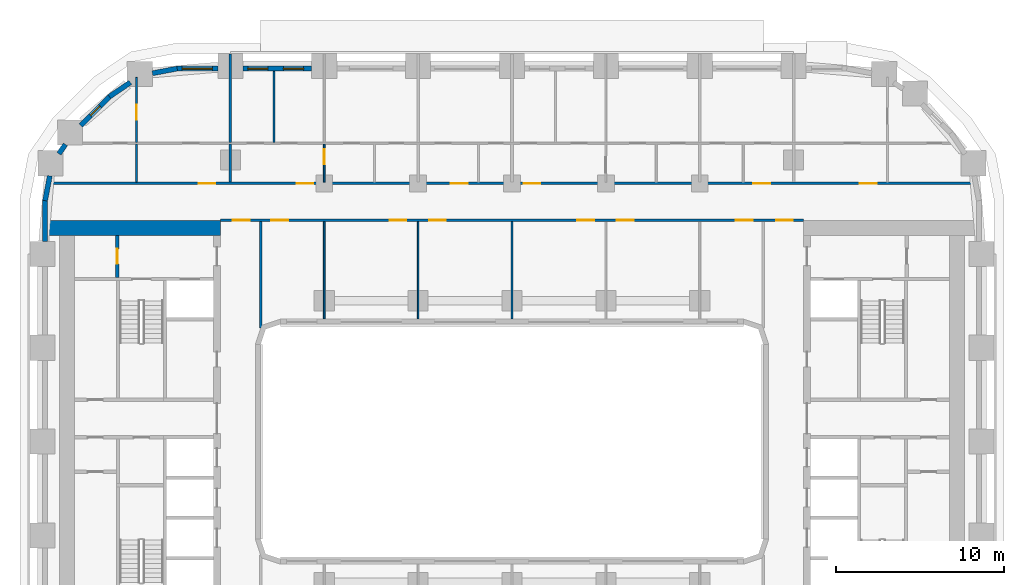
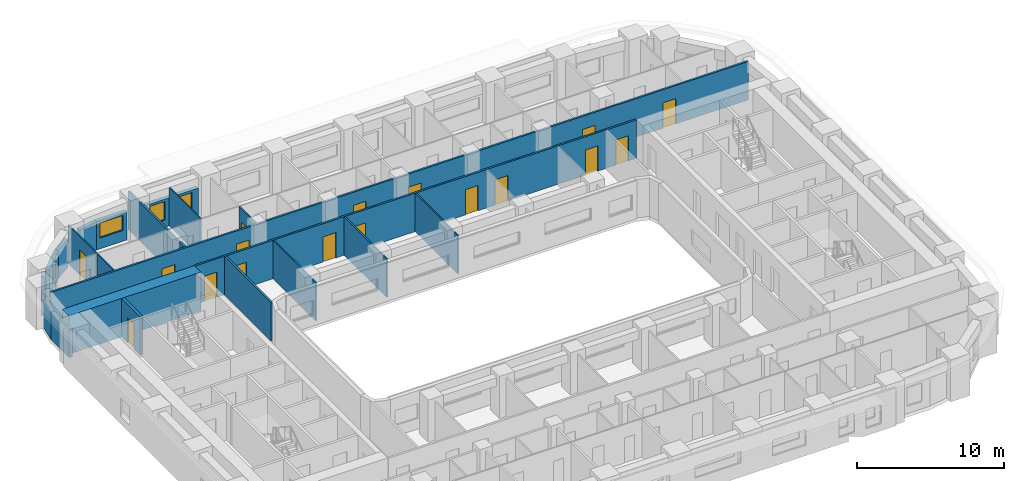
# One storey, part 7 of 20: 22 walls, 17 doors, 4 windows, 21 openings.
"""IFC4 building model written with IfcOpenShell, lengths in metres."""

from ifc_helpers import new_model, si_unit, direction, frame, frame_2d, origin, place, context, subcontext, project, spatial, rectangle, extrude, material, layer, layer_set, type_object, element, fill, save


model = new_model("IFC4")

# Units and contexts
model_context = context("Model", 3, precision=1e-05, world=origin(), true_north=direction((0.0, 1.0)))
body_context = subcontext(model_context, "Body", "Model", "MODEL_VIEW")
ifc_project = project(units=[si_unit("LENGTHUNIT", "METRE"), si_unit("AREAUNIT", "SQUARE_METRE"), si_unit("VOLUMEUNIT", "CUBIC_METRE"), si_unit("PLANEANGLEUNIT", "RADIAN"), si_unit("MASSUNIT", "GRAM", prefix="KILO")], contexts=[model_context])

# Site, building, storey
site_placement = place(None, origin())
site = spatial("IfcSite", under=ifc_project, at=site_placement, CompositionType="ELEMENT")
building_placement = place(site_placement, origin())
building = spatial("IfcBuilding", under=site, at=building_placement, Name="Kiln Ring Residences", CompositionType="ELEMENT")
storey_placement = place(building_placement, frame((0.0, 0.0, 37.5)))
storey = spatial("IfcBuildingStorey", under=building, at=storey_placement, Name="L08", CompositionType="ELEMENT", Elevation=37.5)

# Wall, opening, door
ifc_material_1 = material(Name="Gypsum board on steel studs", Category="steel")
ifc_layer_1 = layer(ifc_material_1, 0.199951171875)
ifc_layer_set_1 = layer_set([ifc_layer_1], Name="CORE-PARTITION-200")
wall_type_1 = type_object("IfcWallType", Name="CORE-PARTITION-200", PredefinedType="PARTITIONING", material=ifc_layer_set_1)
wall_1_placement = place(storey_placement, frame((-23.550048828125, 9.800048828125, 0.0), z_axis=(0.0, 0.0, 1.0), x_axis=(0.0, 1.0, 0.0)))
wall_1 = element("IfcWall", 1, at=wall_1_placement, inside=storey, type_object=wall_type_1, Name="Core partition west L08 3", PredefinedType="PARTITIONING", context=body_context, shape_type="SweptSolid", body=[
    extrude(rectangle(XDim=2.5, YDim=0.199951171875, at=frame_2d((1.25, 0.0))), origin(), (0.0, 0.0, 1.0), 3.199951171875),
])
opening_1_placement = place(wall_1_placement, frame((0.800048828125, 0.0, 0.0)))
opening_1 = element("IfcOpeningElement", 2, at=opening_1_placement, cuts=wall_1, Name="Opening L08-CW09", PredefinedType="OPENING", context=body_context, shape_type="SweptSolid", body=[
    extrude(rectangle(XDim=0.89990234375, YDim=2.10009765625, at=frame_2d((0.449951171875, 1.050048828125))), frame((0.0, 0.10986328125, 0.0), z_axis=(0.0, -1.0, 0.0), x_axis=(1.0, 0.0, 0.0)), (0.0, 0.0, 1.0), 0.219970703125),
])
ifc_material_2 = material(Name="Steel door leaf", Category="steel")
door_type_1 = type_object("IfcDoorType", Name="CORE-DOOR-ROOM", OperationType="SINGLE_SWING_LEFT", PredefinedType="DOOR", material=ifc_material_2)
door_1_placement = place(opening_1_placement, origin())
door_1 = element("IfcDoor", 3, at=door_1_placement, inside=storey, type_object=door_type_1, Name="Fire riser room L08-CW09", OperationType="SINGLE_SWING_LEFT", OverallHeight=2.10009765625, OverallWidth=0.89990234375, PredefinedType="DOOR", context=body_context, shape_type="SweptSolid", body=[
    extrude(rectangle(XDim=0.89990234375, YDim=2.10009765625, at=frame_2d((0.449951171875, 1.050048828125))), frame((0.0, 0.02490234375, 0.0), z_axis=(0.0, -1.0, 0.0), x_axis=(1.0, 0.0, 0.0)), (0.0, 0.0, 1.0), 0.050048828125),
])
fill(opening_1, door_1)

# Wall
ifc_material_3 = material(Name="Concrete C60/75", Category="concrete")
ifc_layer_2 = layer(ifc_material_3, 0.89990234375)
ifc_layer_set_2 = layer_set([ifc_layer_2], Name="CORE-WALL-RC900")
wall_type_2 = type_object("IfcWallType", Name="CORE-WALL-RC900", PredefinedType="SHEAR", material=ifc_layer_set_2)
wall_2_placement = place(storey_placement, frame((-17.39990234375, 12.75, 0.0), z_axis=(0.0, 0.0, 1.0), x_axis=(-1.0, 0.0, 0.0)))
element("IfcWall", 4, at=wall_2_placement, inside=storey, type_object=wall_type_2, Name="Core wall west L08 4", PredefinedType="SHEAR", context=body_context, shape_type="SweptSolid", body=[
    extrude(rectangle(XDim=10.400146484375, YDim=0.89990234375, at=frame_2d((5.2001953125, 0.0))), origin(), (0.0, 0.0, 1.0), 3.199951171875),
])

# Wall, openings, windows
ifc_material_4 = material(Name="Brick masonry, dark clay brick", Category="masonry")
ifc_layer_3 = layer(ifc_material_4, 0.300048828125)
ifc_layer_set_3 = layer_set([ifc_layer_3], Name="EW-300 BRICK WALL")
wall_type_3 = type_object("IfcWallType", Name="EW-300 BRICK WALL", PredefinedType="SOLIDWALL", material=ifc_layer_set_3)
wall_3_placement = place(storey_placement, frame((-11.949951171875, 22.25, 0.0), z_axis=(0.0, 0.0, 1.0), x_axis=(-1.0, 0.0, 0.0)))
wall_3 = element("IfcWall", 5, at=wall_3_placement, inside=storey, type_object=wall_type_3, Name="Facade wall L08 34", PredefinedType="SOLIDWALL", context=body_context, shape_type="SweptSolid", body=[
    extrude(rectangle(XDim=4.10009765625, YDim=0.300048828125, at=frame_2d((2.050048828125, 0.0))), origin(), (0.0, 0.0, 1.0), 2.35009765625),
])
opening_2_placement = place(wall_3_placement, frame((0.487548828125, 0.0, 0.60009765625)))
opening_2 = element("IfcOpeningElement", 6, at=opening_2_placement, cuts=wall_3, Name="Opening W1", PredefinedType="OPENING", context=body_context, shape_type="SweptSolid", body=[
    extrude(rectangle(XDim=1.199951171875, YDim=1.550048828125, at=frame_2d((0.60009765625, 0.77490234375))), frame((0.0, 0.159912109375, 0.0), z_axis=(0.0, -1.0, 0.0), x_axis=(1.0, 0.0, 0.0)), (0.0, 0.0, 1.0), 0.320068359375),
])
opening_3_placement = place(wall_3_placement, frame((2.612548828125, 0.0, 0.60009765625)))
opening_3 = element("IfcOpeningElement", 7, at=opening_3_placement, cuts=wall_3, Name="Opening W1", PredefinedType="OPENING", context=body_context, shape_type="SweptSolid", body=[
    extrude(rectangle(XDim=1.199951171875, YDim=1.550048828125, at=frame_2d((0.60009765625, 0.77490234375))), frame((0.0, 0.159912109375, 0.0), z_axis=(0.0, -1.0, 0.0), x_axis=(1.0, 0.0, 0.0)), (0.0, 0.0, 1.0), 0.320068359375),
])
ifc_material_5 = material(Name="Aluminium frame with double glazing", Category="aluminium")
window_type_1 = type_object("IfcWindowType", Name="WINDOW 1200 x 1550", PartitioningType="SINGLE_PANEL", PredefinedType="WINDOW", material=ifc_material_5)
window_1_placement = place(opening_2_placement, origin())
window_1 = element("IfcWindow", 8, at=window_1_placement, inside=storey, type_object=window_type_1, Name="Window L08 20", OverallHeight=1.550048828125, OverallWidth=1.199951171875, PartitioningType="SINGLE_PANEL", PredefinedType="WINDOW", context=body_context, shape_type="SweptSolid", body=[
    extrude(rectangle(XDim=1.199951171875, YDim=1.550048828125, at=frame_2d((0.60009765625, 0.77490234375))), frame((0.0, 0.030029296875, 0.0), z_axis=(0.0, -1.0, 0.0), x_axis=(1.0, 0.0, 0.0)), (0.0, 0.0, 1.0), 0.06005859375),
])
fill(opening_2, window_1)
window_2_placement = place(opening_3_placement, origin())
window_2 = element("IfcWindow", 9, at=window_2_placement, inside=storey, type_object=window_type_1, Name="Window L08 21", OverallHeight=1.550048828125, OverallWidth=1.199951171875, PartitioningType="SINGLE_PANEL", PredefinedType="WINDOW", context=body_context, shape_type="SweptSolid", body=[
    extrude(rectangle(XDim=1.199951171875, YDim=1.550048828125, at=frame_2d((0.60009765625, 0.77490234375))), frame((0.0, 0.030029296875, 0.0), z_axis=(0.0, -1.0, 0.0), x_axis=(1.0, 0.0, 0.0)), (0.0, 0.0, 1.0), 0.06005859375),
])
fill(opening_3, window_2)

# Wall, opening, window
wall_4_placement = place(storey_placement, frame((-17.550048828125, 22.25, 0.0), z_axis=(0.0, 0.0, 1.0), x_axis=(-1.0, 0.0, 0.0)))
wall_4 = element("IfcWall", 10, at=wall_4_placement, inside=storey, type_object=wall_type_3, Name="Facade wall L08 35", PredefinedType="SOLIDWALL", context=body_context, shape_type="SweptSolid", body=[
    extrude(rectangle(XDim=2.449951171875, YDim=0.300048828125, at=frame_2d((1.22509765625, 0.0))), origin(), (0.0, 0.0, 1.0), 2.35009765625),
])
opening_4_placement = place(wall_4_placement, frame((0.324951171875, 0.0, 0.89990234375)))
opening_4 = element("IfcOpeningElement", 11, at=opening_4_placement, cuts=wall_4, Name="Opening W2", PredefinedType="OPENING", context=body_context, shape_type="SweptSolid", body=[
    extrude(rectangle(XDim=1.800048828125, YDim=1.25, at=frame_2d((0.89990234375, 0.625))), frame((0.0, 0.159912109375, 0.0), z_axis=(0.0, -1.0, 0.0), x_axis=(1.0, 0.0, 0.0)), (0.0, 0.0, 1.0), 0.320068359375),
])
ifc_material_6 = material(Name="Aluminium frame with double glazing", Category="aluminium")
window_type_2 = type_object("IfcWindowType", Name="WINDOW 1800 x 1250", PartitioningType="SINGLE_PANEL", PredefinedType="WINDOW", material=ifc_material_6)
window_3_placement = place(opening_4_placement, origin())
window_3 = element("IfcWindow", 12, at=window_3_placement, inside=storey, type_object=window_type_2, Name="Window L08 22", OverallHeight=1.25, OverallWidth=1.800048828125, PartitioningType="SINGLE_PANEL", PredefinedType="WINDOW", context=body_context, shape_type="SweptSolid", body=[
    extrude(rectangle(XDim=1.800048828125, YDim=1.25, at=frame_2d((0.89990234375, 0.625))), frame((0.0, 0.030029296875, 0.0), z_axis=(0.0, -1.0, 0.0), x_axis=(1.0, 0.0, 0.0)), (0.0, 0.0, 1.0), 0.06005859375),
])
fill(opening_4, window_3)

# Walls
for number, where, z_axis, x_axis, name in (
    (13, (-19.971923828125, 22.252685546875, 0.0), (0.0, 0.0, 1.0), (-0.982287454367, -0.187380247071, 0.0), "Facade wall L08 36"),
    (14, (-22.76708984375, 21.425537109375, 0.0), (0.0, 0.0, 1.0), (-0.827028997312, -0.562159263559, 0.0), "Facade wall L08 37"),
):
    element("IfcWall", number, at=place(storey_placement, frame(where, z_axis=z_axis, x_axis=x_axis)), inside=storey, type_object=wall_type_3, Name=name, PredefinedType="SOLIDWALL", context=body_context, shape_type="SweptSolid", body=[
        extrude(rectangle(XDim=1.506103515625, YDim=0.300048828125, at=frame_2d((0.7529296875, 0.0))), origin(), (0.0, 0.0, 1.0), 2.35009765625),
    ])

# Wall, opening, window
wall_5_placement = place(storey_placement, frame((-23.990966796875, 20.596923828125, 0.0), z_axis=(0.0, 0.0, 1.0), x_axis=(-0.707106781187, -0.707106781187, 0.0)))
wall_5 = element("IfcWall", 15, at=wall_5_placement, inside=storey, type_object=wall_type_3, Name="Facade wall L08 38", PredefinedType="SOLIDWALL", context=body_context, shape_type="SweptSolid", body=[
    extrude(rectangle(XDim=2.449951171875, YDim=0.300048828125, at=frame_2d((1.22509765625, 0.0))), origin(), (0.0, 0.0, 1.0), 2.35009765625),
])
opening_5_placement = place(wall_5_placement, frame((0.824951171875, 0.0, 0.60009765625)))
opening_5 = element("IfcOpeningElement", 16, at=opening_5_placement, cuts=wall_5, Name="Opening W5", PredefinedType="OPENING", context=body_context, shape_type="SweptSolid", body=[
    extrude(rectangle(XDim=0.800048828125, YDim=1.550048828125, at=frame_2d((0.39990234375, 0.77490234375))), frame((0.0, 0.159912109375, 0.0), z_axis=(0.0, -1.0, 0.0), x_axis=(1.0, 0.0, 0.0)), (0.0, 0.0, 1.0), 0.320068359375),
])
ifc_material_7 = material(Name="Aluminium frame with double glazing", Category="aluminium")
window_type_3 = type_object("IfcWindowType", Name="WINDOW 800 x 1550", PartitioningType="SINGLE_PANEL", PredefinedType="WINDOW", material=ifc_material_7)
window_4_placement = place(opening_5_placement, origin())
window_4 = element("IfcWindow", 17, at=window_4_placement, inside=storey, type_object=window_type_3, Name="Window L08 23", OverallHeight=1.550048828125, OverallWidth=0.800048828125, PartitioningType="SINGLE_PANEL", PredefinedType="WINDOW", context=body_context, shape_type="SweptSolid", body=[
    extrude(rectangle(XDim=0.800048828125, YDim=1.550048828125, at=frame_2d((0.39990234375, 0.77490234375))), frame((0.0, 0.030029296875, 0.0), z_axis=(0.0, -1.0, 0.0), x_axis=(1.0, 0.0, 0.0)), (0.0, 0.0, 1.0), 0.06005859375),
])
fill(opening_5, window_4)

# Walls
wall_6_placement = place(storey_placement, frame((-26.644775390625, 17.72705078125, 0.0), z_axis=(0.0, 0.0, 1.0), x_axis=(-0.562083182981, -0.827080706709, 0.0)))
element("IfcWall", 18, at=wall_6_placement, inside=storey, type_object=wall_type_3, Name="Facade wall L08 39", PredefinedType="SOLIDWALL", context=body_context, shape_type="SweptSolid", body=[
    extrude(rectangle(XDim=0.67724609375, YDim=0.300048828125, at=frame_2d((0.338623046875, 0.0))), origin(), (0.0, 0.0, 1.0), 3.199951171875),
])
wall_7_placement = place(storey_placement, frame((-27.570556640625, 15.851318359375, 0.0), z_axis=(0.0, 0.0, 1.0), x_axis=(-0.187223837635, -0.982317277982, 0.0)))
element("IfcWall", 19, at=wall_7_placement, inside=storey, type_object=wall_type_3, Name="Facade wall L08 40", PredefinedType="SOLIDWALL", context=body_context, shape_type="SweptSolid", body=[
    extrude(rectangle(XDim=1.506103515625, YDim=0.300048828125, at=frame_2d((0.7529296875, 0.0))), origin(), (0.0, 0.0, 1.0), 2.35009765625),
])
wall_8_placement = place(storey_placement, frame((-27.85009765625, 14.39990234375, 0.0), z_axis=(0.0, 0.0, 1.0), x_axis=(0.0, -1.0, 0.0)))
element("IfcWall", 20, at=wall_8_placement, inside=storey, type_object=wall_type_3, Name="Facade wall L08 41", PredefinedType="SOLIDWALL", context=body_context, shape_type="SweptSolid", body=[
    extrude(rectangle(XDim=2.449951171875, YDim=0.300048828125, at=frame_2d((1.22509765625, 0.0))), origin(), (0.0, 0.0, 1.0), 2.35009765625),
])
ifc_material_8 = material(Name="Gypsum board on steel studs", Category="steel")
ifc_layer_4 = layer(ifc_material_8, 0.10009765625)
ifc_layer_set_4 = layer_set([ifc_layer_4], Name="PARTITION-100")
wall_type_4 = type_object("IfcWallType", Name="PARTITION-100", PredefinedType="PARTITIONING", material=ifc_layer_set_4)
wall_9_placement = place(storey_placement, frame((-22.39990234375, 15.47509765625, 0.0), z_axis=(0.0, 0.0, 1.0), x_axis=(0.0, 1.0, 0.0)))
element("IfcWall", 21, at=wall_9_placement, inside=storey, type_object=wall_type_4, Name="Partition 008", PredefinedType="PARTITIONING", context=body_context, shape_type="SweptSolid", body=[
    extrude(rectangle(XDim=2.27490234375, YDim=0.10009765625, at=frame_2d((1.137451171875, 0.0))), origin(), (0.0, 0.0, 1.0), 3.199951171875),
])

# Wall, opening, door
wall_10_placement = place(storey_placement, frame((-22.39990234375, 17.85009765625, 0.0), z_axis=(0.0, 0.0, 1.0), x_axis=(0.0, 1.0, 0.0)))
wall_10 = element("IfcWall", 22, at=wall_10_placement, inside=storey, type_object=wall_type_4, Name="Partition 009", PredefinedType="PARTITIONING", context=body_context, shape_type="SweptSolid", body=[
    extrude(rectangle(XDim=3.869873046875, YDim=0.10009765625, at=frame_2d((1.93505859375, 0.0))), origin(), (0.0, 0.0, 1.0), 3.199951171875),
])
opening_6_placement = place(wall_10_placement, frame((1.347900390625, 0.0, 0.0)))
opening_6 = element("IfcOpeningElement", 23, at=opening_6_placement, cuts=wall_10, Name="Opening L08-D014", PredefinedType="OPENING", context=body_context, shape_type="SweptSolid", body=[
    extrude(rectangle(XDim=0.89990234375, YDim=2.10009765625, at=frame_2d((0.449951171875, 1.050048828125))), frame((0.0, 0.06005859375, 0.0), z_axis=(0.0, -1.0, 0.0), x_axis=(1.0, 0.0, 0.0)), (0.0, 0.0, 1.0), 0.1201171875),
])
ifc_material_9 = material(Name="Timber door leaf", Category="wood")
door_type_2 = type_object("IfcDoorType", Name="FLAT-DOOR-900-PL", OperationType="SINGLE_SWING_LEFT", PredefinedType="DOOR", material=ifc_material_9)
door_2_placement = place(opening_6_placement, origin())
door_2 = element("IfcDoor", 24, at=door_2_placement, inside=storey, type_object=door_type_2, Name="Door L08-D014", OperationType="SINGLE_SWING_RIGHT", OverallHeight=2.10009765625, OverallWidth=0.89990234375, PredefinedType="DOOR", context=body_context, shape_type="SweptSolid", body=[
    extrude(rectangle(XDim=0.89990234375, YDim=2.10009765625, at=frame_2d((0.449951171875, 1.050048828125))), frame((0.0, 0.02490234375, 0.0), z_axis=(0.0, -1.0, 0.0), x_axis=(1.0, 0.0, 0.0)), (0.0, 0.0, 1.0), 0.050048828125),
])
fill(opening_6, door_2)

# Walls
wall_11_placement = place(storey_placement, frame((-14.199951171875, 17.85009765625, 0.0), z_axis=(0.0, 0.0, 1.0), x_axis=(0.0, 1.0, 0.0)))
element("IfcWall", 25, at=wall_11_placement, inside=storey, type_object=wall_type_4, Name="Partition 016", PredefinedType="PARTITIONING", context=body_context, shape_type="SweptSolid", body=[
    extrude(rectangle(XDim=4.22998046875, YDim=0.10009765625, at=frame_2d((2.114990234375, 0.0))), origin(), (0.0, 0.0, 1.0), 3.199951171875),
])
wall_12_placement = place(storey_placement, frame((-11.199951171875, 7.320068359375, 0.0), z_axis=(0.0, 0.0, 1.0), x_axis=(0.0, 1.0, 0.0)))
element("IfcWall", 26, at=wall_12_placement, inside=storey, type_object=wall_type_4, Name="Partition 019", PredefinedType="PARTITIONING", context=body_context, shape_type="SweptSolid", body=[
    extrude(rectangle(XDim=5.804931640625, YDim=0.10009765625, at=frame_2d((2.90234375, 0.0))), origin(), (0.0, 0.0, 1.0), 3.199951171875),
])

# Wall, opening, door
wall_13_placement = place(storey_placement, frame((-11.199951171875, 15.47509765625, 0.0), z_axis=(0.0, 0.0, 1.0), x_axis=(0.0, 1.0, 0.0)))
wall_13 = element("IfcWall", 27, at=wall_13_placement, inside=storey, type_object=wall_type_4, Name="Partition 020", PredefinedType="PARTITIONING", context=body_context, shape_type="SweptSolid", body=[
    extrude(rectangle(XDim=2.27490234375, YDim=0.10009765625, at=frame_2d((1.137451171875, 0.0))), origin(), (0.0, 0.0, 1.0), 3.199951171875),
])
opening_7_placement = place(wall_13_placement, frame((1.075927734375, 0.0, 0.0)))
opening_7 = element("IfcOpeningElement", 28, at=opening_7_placement, cuts=wall_13, Name="Opening L08-D016", PredefinedType="OPENING", context=body_context, shape_type="SweptSolid", body=[
    extrude(rectangle(XDim=0.89990234375, YDim=2.10009765625, at=frame_2d((0.449951171875, 1.050048828125))), frame((0.0, 0.06005859375, 0.0), z_axis=(0.0, -1.0, 0.0), x_axis=(1.0, 0.0, 0.0)), (0.0, 0.0, 1.0), 0.1201171875),
])
door_3_placement = place(opening_7_placement, origin())
door_3 = element("IfcDoor", 29, at=door_3_placement, inside=storey, type_object=door_type_2, Name="Door L08-D016", OperationType="SINGLE_SWING_RIGHT", OverallHeight=2.10009765625, OverallWidth=0.89990234375, PredefinedType="DOOR", context=body_context, shape_type="SweptSolid", body=[
    extrude(rectangle(XDim=0.89990234375, YDim=2.10009765625, at=frame_2d((0.449951171875, 1.050048828125))), frame((0.0, 0.02490234375, 0.0), z_axis=(0.0, -1.0, 0.0), x_axis=(1.0, 0.0, 0.0)), (0.0, 0.0, 1.0), 0.050048828125),
])
fill(opening_7, door_3)

# Walls
for number, where, z_axis, x_axis, name in (
    (30, (-5.60009765625, 7.320068359375, 0.0), (0.0, 0.0, 1.0), (0.0, 1.0, 0.0), "Partition 027"),
    (31, (0.0, 7.320068359375, 0.0), (0.0, 0.0, 1.0), (0.0, 1.0, 0.0), "Partition 035"),
):
    element("IfcWall", number, at=place(storey_placement, frame(where, z_axis=z_axis, x_axis=x_axis)), inside=storey, type_object=wall_type_4, Name=name, PredefinedType="PARTITIONING", context=body_context, shape_type="SweptSolid", body=[
        extrude(rectangle(XDim=5.804931640625, YDim=0.10009765625, at=frame_2d((2.90234375, 0.0))), origin(), (0.0, 0.0, 1.0), 3.199951171875),
    ])

# Wall, openings, doors
ifc_material_10 = material(Name="Brick masonry partition", Category="masonry")
ifc_layer_5 = layer(ifc_material_10, 0.14990234375)
ifc_layer_set_5 = layer_set([ifc_layer_5], Name="PARTITION-150-ei60")
wall_type_5 = type_object("IfcWallType", Name="PARTITION-150-ei60", PredefinedType="PARTITIONING", material=ifc_layer_set_5)
wall_14_placement = place(storey_placement, frame((-17.39990234375, 13.199951171875, 0.0), z_axis=(0.0, 0.0, 1.0), x_axis=(1.0, 0.0, 0.0)))
wall_14 = element("IfcWall", 32, at=wall_14_placement, inside=storey, type_object=wall_type_5, Name="Partition 003", PredefinedType="PARTITIONING", context=body_context, shape_type="SweptSolid", body=[
    extrude(rectangle(XDim=34.7998046875, YDim=0.14990234375, at=frame_2d((17.39990234375, 0.0))), origin(), (0.0, 0.0, 1.0), 3.199951171875),
])
opening_8_placement = place(wall_14_placement, frame((0.75, 0.0, 0.0)))
opening_8 = element("IfcOpeningElement", 33, at=opening_8_placement, cuts=wall_14, Name="Opening L08-D001", PredefinedType="OPENING", context=body_context, shape_type="SweptSolid", body=[
    extrude(rectangle(XDim=1.0, YDim=2.10009765625, at=frame_2d((0.5, 1.050048828125))), frame((0.0, 0.0849609375, 0.0), z_axis=(0.0, -1.0, 0.0), x_axis=(1.0, 0.0, 0.0)), (0.0, 0.0, 1.0), 0.169921875),
])
opening_9_placement = place(wall_14_placement, frame((33.14990234375, 0.0, 0.0)))
opening_9 = element("IfcOpeningElement", 34, at=opening_9_placement, cuts=wall_14, Name="Opening L08-D002", PredefinedType="OPENING", context=body_context, shape_type="SweptSolid", body=[
    extrude(rectangle(XDim=1.0, YDim=2.10009765625, at=frame_2d((0.5, 1.050048828125))), frame((0.0, 0.0849609375, 0.0), z_axis=(0.0, -1.0, 0.0), x_axis=(1.0, 0.0, 0.0)), (0.0, 0.0, 1.0), 0.169921875),
])
opening_10_placement = place(wall_14_placement, frame((3.050048828125, 0.0, 0.0)))
opening_10 = element("IfcOpeningElement", 35, at=opening_10_placement, cuts=wall_14, Name="Opening L08-D005", PredefinedType="OPENING", context=body_context, shape_type="SweptSolid", body=[
    extrude(rectangle(XDim=1.0, YDim=2.10009765625, at=frame_2d((0.5, 1.050048828125))), frame((0.0, 0.0849609375, 0.0), z_axis=(0.0, -1.0, 0.0), x_axis=(1.0, 0.0, 0.0)), (0.0, 0.0, 1.0), 0.169921875),
])
opening_11_placement = place(wall_14_placement, frame((10.10009765625, 0.0, 0.0)))
opening_11 = element("IfcOpeningElement", 36, at=opening_11_placement, cuts=wall_14, Name="Opening L08-D006", PredefinedType="OPENING", context=body_context, shape_type="SweptSolid", body=[
    extrude(rectangle(XDim=1.0, YDim=2.10009765625, at=frame_2d((0.5, 1.050048828125))), frame((0.0, 0.0849609375, 0.0), z_axis=(0.0, -1.0, 0.0), x_axis=(1.0, 0.0, 0.0)), (0.0, 0.0, 1.0), 0.169921875),
])
opening_12_placement = place(wall_14_placement, frame((12.449951171875, 0.0, 0.0)))
opening_12 = element("IfcOpeningElement", 37, at=opening_12_placement, cuts=wall_14, Name="Opening L08-D007", PredefinedType="OPENING", context=body_context, shape_type="SweptSolid", body=[
    extrude(rectangle(XDim=1.0, YDim=2.10009765625, at=frame_2d((0.5, 1.050048828125))), frame((0.0, 0.0849609375, 0.0), z_axis=(0.0, -1.0, 0.0), x_axis=(1.0, 0.0, 0.0)), (0.0, 0.0, 1.0), 0.169921875),
])
opening_13_placement = place(wall_14_placement, frame((21.300048828125, 0.0, 0.0)))
opening_13 = element("IfcOpeningElement", 38, at=opening_13_placement, cuts=wall_14, Name="Opening L08-D008", PredefinedType="OPENING", context=body_context, shape_type="SweptSolid", body=[
    extrude(rectangle(XDim=1.0, YDim=2.10009765625, at=frame_2d((0.5, 1.050048828125))), frame((0.0, 0.0849609375, 0.0), z_axis=(0.0, -1.0, 0.0), x_axis=(1.0, 0.0, 0.0)), (0.0, 0.0, 1.0), 0.169921875),
])
opening_14_placement = place(wall_14_placement, frame((23.64990234375, 0.0, 0.0)))
opening_14 = element("IfcOpeningElement", 39, at=opening_14_placement, cuts=wall_14, Name="Opening L08-D009", PredefinedType="OPENING", context=body_context, shape_type="SweptSolid", body=[
    extrude(rectangle(XDim=1.0, YDim=2.10009765625, at=frame_2d((0.5, 1.050048828125))), frame((0.0, 0.0849609375, 0.0), z_axis=(0.0, -1.0, 0.0), x_axis=(1.0, 0.0, 0.0)), (0.0, 0.0, 1.0), 0.169921875),
])
opening_15_placement = place(wall_14_placement, frame((30.75, 0.0, 0.0)))
opening_15 = element("IfcOpeningElement", 40, at=opening_15_placement, cuts=wall_14, Name="Opening L08-D010", PredefinedType="OPENING", context=body_context, shape_type="SweptSolid", body=[
    extrude(rectangle(XDim=1.0, YDim=2.10009765625, at=frame_2d((0.5, 1.050048828125))), frame((0.0, 0.0849609375, 0.0), z_axis=(0.0, -1.0, 0.0), x_axis=(1.0, 0.0, 0.0)), (0.0, 0.0, 1.0), 0.169921875),
])
ifc_material_11 = material(Name="Steel faced fire door leaf", Category="steel")
door_type_3 = type_object("IfcDoorType", Name="FLAT-DOOR-1000-FR", OperationType="SINGLE_SWING_LEFT", PredefinedType="DOOR", material=ifc_material_11)
door_4_placement = place(opening_8_placement, origin())
door_4 = element("IfcDoor", 41, at=door_4_placement, inside=storey, type_object=door_type_3, Name="Door L08-D001", OperationType="SINGLE_SWING_RIGHT", OverallHeight=2.10009765625, OverallWidth=1.0, PredefinedType="DOOR", context=body_context, shape_type="SweptSolid", body=[
    extrude(rectangle(XDim=1.0, YDim=2.10009765625, at=frame_2d((0.5, 1.050048828125))), frame((0.0, 0.02490234375, 0.0), z_axis=(0.0, -1.0, 0.0), x_axis=(1.0, 0.0, 0.0)), (0.0, 0.0, 1.0), 0.050048828125),
])
fill(opening_8, door_4)
door_5_placement = place(opening_9_placement, origin())
door_5 = element("IfcDoor", 42, at=door_5_placement, inside=storey, type_object=door_type_3, Name="Door L08-D002", OperationType="SINGLE_SWING_LEFT", OverallHeight=2.10009765625, OverallWidth=1.0, PredefinedType="DOOR", context=body_context, shape_type="SweptSolid", body=[
    extrude(rectangle(XDim=1.0, YDim=2.10009765625, at=frame_2d((0.5, 1.050048828125))), frame((0.0, 0.02490234375, 0.0), z_axis=(0.0, -1.0, 0.0), x_axis=(1.0, 0.0, 0.0)), (0.0, 0.0, 1.0), 0.050048828125),
])
fill(opening_9, door_5)
door_6_placement = place(opening_10_placement, origin())
door_6 = element("IfcDoor", 43, at=door_6_placement, inside=storey, type_object=door_type_3, Name="Door L08-D005", OperationType="SINGLE_SWING_LEFT", OverallHeight=2.10009765625, OverallWidth=1.0, PredefinedType="DOOR", context=body_context, shape_type="SweptSolid", body=[
    extrude(rectangle(XDim=1.0, YDim=2.10009765625, at=frame_2d((0.5, 1.050048828125))), frame((0.0, 0.02490234375, 0.0), z_axis=(0.0, -1.0, 0.0), x_axis=(1.0, 0.0, 0.0)), (0.0, 0.0, 1.0), 0.050048828125),
])
fill(opening_10, door_6)
door_7_placement = place(opening_11_placement, origin())
door_7 = element("IfcDoor", 44, at=door_7_placement, inside=storey, type_object=door_type_3, Name="Door L08-D006", OperationType="SINGLE_SWING_RIGHT", OverallHeight=2.10009765625, OverallWidth=1.0, PredefinedType="DOOR", context=body_context, shape_type="SweptSolid", body=[
    extrude(rectangle(XDim=1.0, YDim=2.10009765625, at=frame_2d((0.5, 1.050048828125))), frame((0.0, 0.02490234375, 0.0), z_axis=(0.0, -1.0, 0.0), x_axis=(1.0, 0.0, 0.0)), (0.0, 0.0, 1.0), 0.050048828125),
])
fill(opening_11, door_7)
door_8_placement = place(opening_12_placement, origin())
door_8 = element("IfcDoor", 45, at=door_8_placement, inside=storey, type_object=door_type_3, Name="Door L08-D007", OperationType="SINGLE_SWING_LEFT", OverallHeight=2.10009765625, OverallWidth=1.0, PredefinedType="DOOR", context=body_context, shape_type="SweptSolid", body=[
    extrude(rectangle(XDim=1.0, YDim=2.10009765625, at=frame_2d((0.5, 1.050048828125))), frame((0.0, 0.02490234375, 0.0), z_axis=(0.0, -1.0, 0.0), x_axis=(1.0, 0.0, 0.0)), (0.0, 0.0, 1.0), 0.050048828125),
])
fill(opening_12, door_8)
door_9_placement = place(opening_13_placement, origin())
door_9 = element("IfcDoor", 46, at=door_9_placement, inside=storey, type_object=door_type_3, Name="Door L08-D008", OperationType="SINGLE_SWING_RIGHT", OverallHeight=2.10009765625, OverallWidth=1.0, PredefinedType="DOOR", context=body_context, shape_type="SweptSolid", body=[
    extrude(rectangle(XDim=1.0, YDim=2.10009765625, at=frame_2d((0.5, 1.050048828125))), frame((0.0, 0.02490234375, 0.0), z_axis=(0.0, -1.0, 0.0), x_axis=(1.0, 0.0, 0.0)), (0.0, 0.0, 1.0), 0.050048828125),
])
fill(opening_13, door_9)
door_10_placement = place(opening_14_placement, origin())
door_10 = element("IfcDoor", 47, at=door_10_placement, inside=storey, type_object=door_type_3, Name="Door L08-D009", OperationType="SINGLE_SWING_LEFT", OverallHeight=2.10009765625, OverallWidth=1.0, PredefinedType="DOOR", context=body_context, shape_type="SweptSolid", body=[
    extrude(rectangle(XDim=1.0, YDim=2.10009765625, at=frame_2d((0.5, 1.050048828125))), frame((0.0, 0.02490234375, 0.0), z_axis=(0.0, -1.0, 0.0), x_axis=(1.0, 0.0, 0.0)), (0.0, 0.0, 1.0), 0.050048828125),
])
fill(opening_14, door_10)
door_11_placement = place(opening_15_placement, origin())
door_11 = element("IfcDoor", 48, at=door_11_placement, inside=storey, type_object=door_type_3, Name="Door L08-D010", OperationType="SINGLE_SWING_RIGHT", OverallHeight=2.10009765625, OverallWidth=1.0, PredefinedType="DOOR", context=body_context, shape_type="SweptSolid", body=[
    extrude(rectangle(XDim=1.0, YDim=2.10009765625, at=frame_2d((0.5, 1.050048828125))), frame((0.0, 0.02490234375, 0.0), z_axis=(0.0, -1.0, 0.0), x_axis=(1.0, 0.0, 0.0)), (0.0, 0.0, 1.0), 0.050048828125),
])
fill(opening_15, door_11)

wall_15_placement = place(storey_placement, frame((-27.48388671875, 15.39990234375, 0.0), z_axis=(0.0, 0.0, 1.0), x_axis=(1.0, 0.0, 0.0)))
wall_15 = element("IfcWall", 49, at=wall_15_placement, inside=storey, type_object=wall_type_5, Name="Partition 004", PredefinedType="PARTITIONING", context=body_context, shape_type="SweptSolid", body=[
    extrude(rectangle(XDim=54.9677734375, YDim=0.14990234375, at=frame_2d((27.48388671875, 0.0))), origin(), (0.0, 0.0, 1.0), 3.199951171875),
])
opening_16_placement = place(wall_15_placement, frame((8.78369140625, 0.0, 0.0)))
opening_16 = element("IfcOpeningElement", 50, at=opening_16_placement, cuts=wall_15, Name="Opening L08-D011", PredefinedType="OPENING", context=body_context, shape_type="SweptSolid", body=[
    extrude(rectangle(XDim=1.0, YDim=2.10009765625, at=frame_2d((0.5, 1.050048828125))), frame((0.0, 0.0849609375, 0.0), z_axis=(0.0, -1.0, 0.0), x_axis=(1.0, 0.0, 0.0)), (0.0, 0.0, 1.0), 0.169921875),
])
opening_17_placement = place(wall_15_placement, frame((14.6337890625, 0.0, 0.0)))
opening_17 = element("IfcOpeningElement", 51, at=opening_17_placement, cuts=wall_15, Name="Opening L08-D015", PredefinedType="OPENING", context=body_context, shape_type="SweptSolid", body=[
    extrude(rectangle(XDim=1.0, YDim=2.10009765625, at=frame_2d((0.5, 1.050048828125))), frame((0.0, 0.0849609375, 0.0), z_axis=(0.0, -1.0, 0.0), x_axis=(1.0, 0.0, 0.0)), (0.0, 0.0, 1.0), 0.169921875),
])
opening_18_placement = place(wall_15_placement, frame((23.833740234375, 0.0, 0.0)))
opening_18 = element("IfcOpeningElement", 52, at=opening_18_placement, cuts=wall_15, Name="Opening L08-D021", PredefinedType="OPENING", context=body_context, shape_type="SweptSolid", body=[
    extrude(rectangle(XDim=1.0, YDim=2.10009765625, at=frame_2d((0.5, 1.050048828125))), frame((0.0, 0.0849609375, 0.0), z_axis=(0.0, -1.0, 0.0), x_axis=(1.0, 0.0, 0.0)), (0.0, 0.0, 1.0), 0.169921875),
])
opening_19_placement = place(wall_15_placement, frame((28.183837890625, 0.0, 0.0)))
opening_19 = element("IfcOpeningElement", 53, at=opening_19_placement, cuts=wall_15, Name="Opening L08-D024", PredefinedType="OPENING", context=body_context, shape_type="SweptSolid", body=[
    extrude(rectangle(XDim=1.0, YDim=2.10009765625, at=frame_2d((0.5, 1.050048828125))), frame((0.0, 0.0849609375, 0.0), z_axis=(0.0, -1.0, 0.0), x_axis=(1.0, 0.0, 0.0)), (0.0, 0.0, 1.0), 0.169921875),
])
opening_20_placement = place(wall_15_placement, frame((41.8837890625, 0.0, 0.0)))
opening_20 = element("IfcOpeningElement", 54, at=opening_20_placement, cuts=wall_15, Name="Opening L08-D030", PredefinedType="OPENING", context=body_context, shape_type="SweptSolid", body=[
    extrude(rectangle(XDim=1.0, YDim=2.10009765625, at=frame_2d((0.5, 1.050048828125))), frame((0.0, 0.0849609375, 0.0), z_axis=(0.0, -1.0, 0.0), x_axis=(1.0, 0.0, 0.0)), (0.0, 0.0, 1.0), 0.169921875),
])
opening_21_placement = place(wall_15_placement, frame((48.23388671875, 0.0, 0.0)))
opening_21 = element("IfcOpeningElement", 55, at=opening_21_placement, cuts=wall_15, Name="Opening L08-D033", PredefinedType="OPENING", context=body_context, shape_type="SweptSolid", body=[
    extrude(rectangle(XDim=1.0, YDim=2.10009765625, at=frame_2d((0.5, 1.050048828125))), frame((0.0, 0.0849609375, 0.0), z_axis=(0.0, -1.0, 0.0), x_axis=(1.0, 0.0, 0.0)), (0.0, 0.0, 1.0), 0.169921875),
])
door_12_placement = place(opening_16_placement, origin())
door_12 = element("IfcDoor", 56, at=door_12_placement, inside=storey, type_object=door_type_3, Name="Door L08-D011", OperationType="SINGLE_SWING_LEFT", OverallHeight=2.10009765625, OverallWidth=1.0, PredefinedType="DOOR", context=body_context, shape_type="SweptSolid", body=[
    extrude(rectangle(XDim=1.0, YDim=2.10009765625, at=frame_2d((0.5, 1.050048828125))), frame((0.0, 0.02490234375, 0.0), z_axis=(0.0, -1.0, 0.0), x_axis=(1.0, 0.0, 0.0)), (0.0, 0.0, 1.0), 0.050048828125),
])
fill(opening_16, door_12)
door_13_placement = place(opening_17_placement, origin())
door_13 = element("IfcDoor", 57, at=door_13_placement, inside=storey, type_object=door_type_3, Name="Door L08-D015", OperationType="SINGLE_SWING_LEFT", OverallHeight=2.10009765625, OverallWidth=1.0, PredefinedType="DOOR", context=body_context, shape_type="SweptSolid", body=[
    extrude(rectangle(XDim=1.0, YDim=2.10009765625, at=frame_2d((0.5, 1.050048828125))), frame((0.0, 0.02490234375, 0.0), z_axis=(0.0, -1.0, 0.0), x_axis=(1.0, 0.0, 0.0)), (0.0, 0.0, 1.0), 0.050048828125),
])
fill(opening_17, door_13)
door_14_placement = place(opening_18_placement, origin())
door_14 = element("IfcDoor", 58, at=door_14_placement, inside=storey, type_object=door_type_3, Name="Door L08-D021", OperationType="SINGLE_SWING_LEFT", OverallHeight=2.10009765625, OverallWidth=1.0, PredefinedType="DOOR", context=body_context, shape_type="SweptSolid", body=[
    extrude(rectangle(XDim=1.0, YDim=2.10009765625, at=frame_2d((0.5, 1.050048828125))), frame((0.0, 0.02490234375, 0.0), z_axis=(0.0, -1.0, 0.0), x_axis=(1.0, 0.0, 0.0)), (0.0, 0.0, 1.0), 0.050048828125),
])
fill(opening_18, door_14)
door_15_placement = place(opening_19_placement, origin())
door_15 = element("IfcDoor", 59, at=door_15_placement, inside=storey, type_object=door_type_3, Name="Door L08-D024", OperationType="SINGLE_SWING_RIGHT", OverallHeight=2.10009765625, OverallWidth=1.0, PredefinedType="DOOR", context=body_context, shape_type="SweptSolid", body=[
    extrude(rectangle(XDim=1.0, YDim=2.10009765625, at=frame_2d((0.5, 1.050048828125))), frame((0.0, 0.02490234375, 0.0), z_axis=(0.0, -1.0, 0.0), x_axis=(1.0, 0.0, 0.0)), (0.0, 0.0, 1.0), 0.050048828125),
])
fill(opening_19, door_15)
door_16_placement = place(opening_20_placement, origin())
door_16 = element("IfcDoor", 60, at=door_16_placement, inside=storey, type_object=door_type_3, Name="Door L08-D030", OperationType="SINGLE_SWING_RIGHT", OverallHeight=2.10009765625, OverallWidth=1.0, PredefinedType="DOOR", context=body_context, shape_type="SweptSolid", body=[
    extrude(rectangle(XDim=1.0, YDim=2.10009765625, at=frame_2d((0.5, 1.050048828125))), frame((0.0, 0.02490234375, 0.0), z_axis=(0.0, -1.0, 0.0), x_axis=(1.0, 0.0, 0.0)), (0.0, 0.0, 1.0), 0.050048828125),
])
fill(opening_20, door_16)
door_17_placement = place(opening_21_placement, origin())
door_17 = element("IfcDoor", 61, at=door_17_placement, inside=storey, type_object=door_type_3, Name="Door L08-D033", OperationType="SINGLE_SWING_LEFT", OverallHeight=2.10009765625, OverallWidth=1.0, PredefinedType="DOOR", context=body_context, shape_type="SweptSolid", body=[
    extrude(rectangle(XDim=1.0, YDim=2.10009765625, at=frame_2d((0.5, 1.050048828125))), frame((0.0, 0.02490234375, 0.0), z_axis=(0.0, -1.0, 0.0), x_axis=(1.0, 0.0, 0.0)), (0.0, 0.0, 1.0), 0.050048828125),
])
fill(opening_21, door_17)

# Walls
wall_16_placement = place(storey_placement, frame((-16.800048828125, 15.47509765625, 0.0), z_axis=(0.0, 0.0, 1.0), x_axis=(0.0, 1.0, 0.0)))
element("IfcWall", 62, at=wall_16_placement, inside=storey, type_object=wall_type_5, Name="Partition 012", PredefinedType="PARTITIONING", context=body_context, shape_type="SweptSolid", body=[
    extrude(rectangle(XDim=2.27490234375, YDim=0.14990234375, at=frame_2d((1.137451171875, 0.0))), origin(), (0.0, 0.0, 1.0), 3.199951171875),
])
wall_17_placement = place(storey_placement, frame((-16.800048828125, 17.85009765625, 0.0), z_axis=(0.0, 0.0, 1.0), x_axis=(0.0, 1.0, 0.0)))
element("IfcWall", 63, at=wall_17_placement, inside=storey, type_object=wall_type_5, Name="Partition 013", PredefinedType="PARTITIONING", context=body_context, shape_type="SweptSolid", body=[
    extrude(rectangle(XDim=5.27978515625, YDim=0.14990234375, at=frame_2d((2.639892578125, 0.0))), origin(), (0.0, 0.0, 1.0), 3.199951171875),
])
wall_18_placement = place(storey_placement, frame((-15.0, 6.768798828125, 0.0), z_axis=(0.0, 0.0, 1.0), x_axis=(0.0, 1.0, 0.0)))
element("IfcWall", 64, at=wall_18_placement, inside=storey, type_object=wall_type_5, Name="Partition 015", PredefinedType="PARTITIONING", context=body_context, shape_type="SweptSolid", body=[
    extrude(rectangle(XDim=6.356201171875, YDim=0.14990234375, at=frame_2d((3.17822265625, 0.0))), origin(), (0.0, 0.0, 1.0), 3.199951171875),
])

save(model, "model.ifc")
